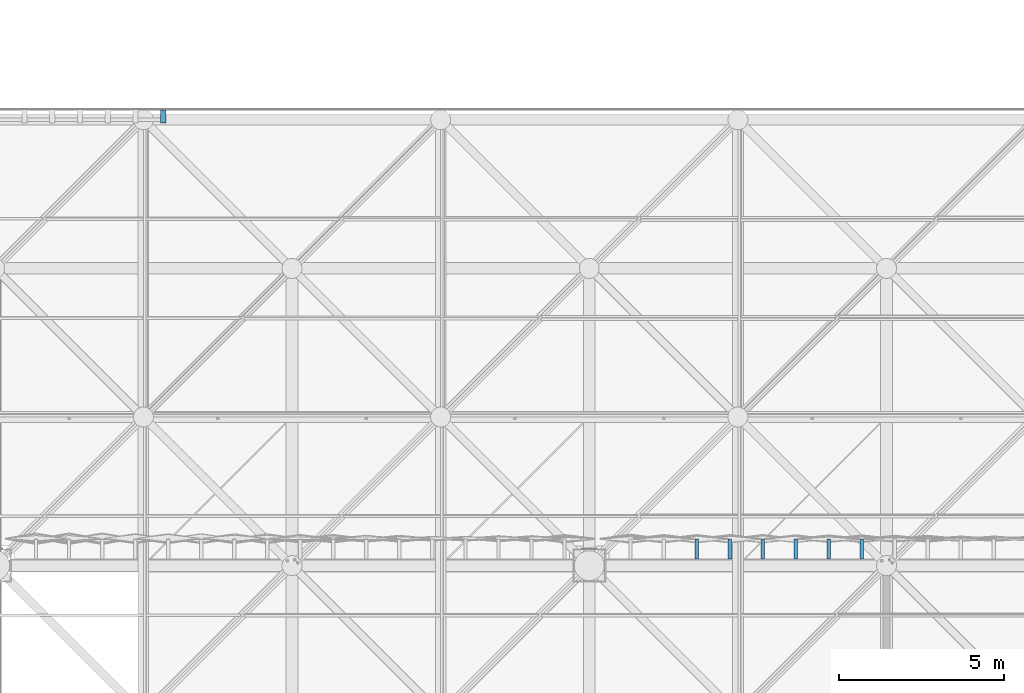
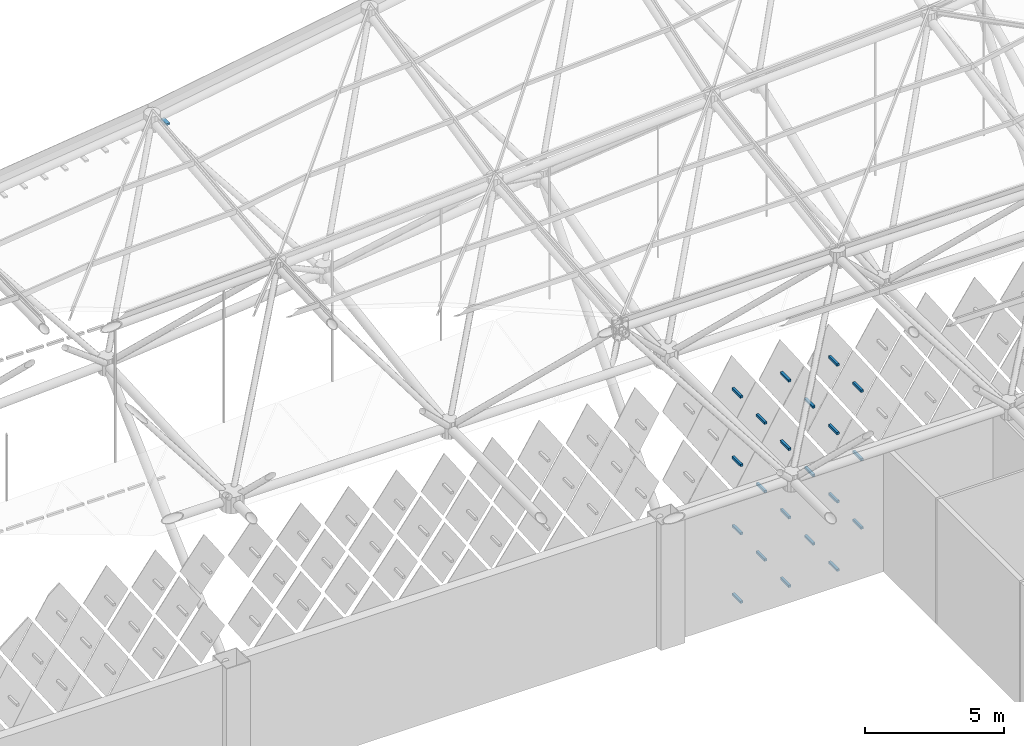
# One storey, part 398 of 437: 22 discrete accessories.
"""IFC4 building model written with IfcOpenShell, lengths in metres."""

from ifc_helpers import new_model, si_unit, direction, frame, origin, origin_2d, place, context, subcontext, project, spatial, polyline, rectangle, outline, extrude, material, type_object, element, save


model = new_model("IFC4")

# Units and contexts
model_context = context("Model", 3, precision=1e-05, world=origin(), true_north=direction((0.0, 1.0)))
body_context = subcontext(model_context, "Body", "Model", "MODEL_VIEW")
ifc_project = project(units=[si_unit("LENGTHUNIT", "METRE"), si_unit("AREAUNIT", "SQUARE_METRE"), si_unit("VOLUMEUNIT", "CUBIC_METRE"), si_unit("PLANEANGLEUNIT", "RADIAN"), si_unit("MASSUNIT", "GRAM", prefix="KILO")], contexts=[model_context])

# Site, building, storey
site_placement = place(None, origin())
site = spatial("IfcSite", under=ifc_project, at=site_placement, CompositionType="ELEMENT")
building_placement = place(site_placement, origin())
building = spatial("IfcBuilding", under=site, at=building_placement, Name="Opaline Strait Convention Centre", CompositionType="ELEMENT")
storey_placement = place(building_placement, frame((0.0, 0.0, 11.5)))
storey = spatial("IfcBuildingStorey", under=building, at=storey_placement, Name="L02", CompositionType="ELEMENT", Elevation=11.5)

# Discrete accessories
ifc_material = material(Name="Steel Q355B", Category="steel")
discrete_accessory_type_1 = type_object("IfcDiscreteAccessoryType", Name="Blade head bracket 160x400x80", PredefinedType="BRACKET", material=ifc_material)
discrete_accessory_1_placement = place(storey_placement, frame((230.10009765625, 166.60009765625, 18.941650390625), z_axis=(0.0, 0.0, 1.0), x_axis=(1.0, 0.0, 0.0)))
element("IfcDiscreteAccessory", 1, at=discrete_accessory_1_placement, inside=storey, type_object=discrete_accessory_type_1, Name="Blade head bracket E26", PredefinedType="BRACKET", context=body_context, shape_type="SweptSolid", body=[
    extrude(rectangle(XDim=0.159912109375, YDim=0.39990234375, at=origin_2d()), origin(), (0.0, 0.0, 1.0), 0.080078125),
])
discrete_accessory_type_2 = type_object("IfcDiscreteAccessoryType", Name="Tile bracket 100x100 steel", PredefinedType="BRACKET", material=ifc_material)
discrete_accessory_2_placement = place(storey_placement, frame((250.300048828125, 153.199951171875, 0.39208984375), z_axis=(-1.0, 0.0, 0.0), x_axis=(0.0, -1.0, 0.0)))
element("IfcDiscreteAccessory", 2, at=discrete_accessory_2_placement, inside=storey, type_object=discrete_accessory_type_2, Name="Tile bracket XT08 N", PredefinedType="BRACKET", context=body_context, shape_type="SweptSolid", body=[
    extrude(outline(polyline([(0.0, -0.050048828125), (0.0, 0.050048828125), (-0.603515625, 0.050048828125), (-0.596435546875, -0.050048828125), (0.0, -0.050048828125)])), origin(), (0.0, 0.0, 1.0), 0.10009765625),
])
discrete_accessory_3_placement = place(storey_placement, frame((248.300048828125, 153.199951171875, 0.39208984375), z_axis=(-1.0, 0.0, 0.0), x_axis=(0.0, -1.0, 0.0)))
element("IfcDiscreteAccessory", 3, at=discrete_accessory_3_placement, inside=storey, type_object=discrete_accessory_type_2, Name="Tile bracket XT07 N", PredefinedType="BRACKET", context=body_context, shape_type="SweptSolid", body=[
    extrude(outline(polyline([(0.0, -0.050048828125), (0.0, 0.050048828125), (-0.60302734375, 0.050048828125), (-0.596923828125, -0.050048828125), (0.0, -0.050048828125)])), origin(), (0.0, 0.0, 1.0), 0.10009765625),
])
discrete_accessory_4_placement = place(storey_placement, frame((246.300048828125, 153.199951171875, 0.39208984375), z_axis=(-1.0, 0.0, 0.0), x_axis=(0.0, -1.0, 0.0)))
element("IfcDiscreteAccessory", 4, at=discrete_accessory_4_placement, inside=storey, type_object=discrete_accessory_type_2, Name="Tile bracket XT05 N", PredefinedType="BRACKET", context=body_context, shape_type="SweptSolid", body=[
    extrude(outline(polyline([(0.0, -0.050048828125), (0.0, 0.050048828125), (-0.602294921875, 0.050048828125), (-0.597900390625, -0.050048828125), (0.0, -0.050048828125)])), origin(), (0.0, 0.0, 1.0), 0.10009765625),
])
for number, where, z_axis, x_axis, name in (
    (5, (251.300048828125, 153.199951171875, 1.89208984375), (-1.0, 0.0, 0.0), (0.0, -1.0, 0.0), "Tile bracket XT08 N"),
    (6, (249.300048828125, 153.199951171875, 1.89208984375), (-1.0, 0.0, 0.0), (0.0, -1.0, 0.0), "Tile bracket XT08 N"),
):
    element("IfcDiscreteAccessory", number, at=place(storey_placement, frame(where, z_axis=z_axis, x_axis=x_axis)), inside=storey, type_object=discrete_accessory_type_2, Name=name, PredefinedType="BRACKET", context=body_context, shape_type="SweptSolid", body=[
        extrude(outline(polyline([(0.0, -0.050048828125), (0.0, 0.050048828125), (-0.603515625, 0.050048828125), (-0.596435546875, -0.050048828125), (0.0, -0.050048828125)])), origin(), (0.0, 0.0, 1.0), 0.10009765625),
    ])
discrete_accessory_5_placement = place(storey_placement, frame((247.300048828125, 153.199951171875, 1.89208984375), z_axis=(-1.0, 0.0, 0.0), x_axis=(0.0, -1.0, 0.0)))
element("IfcDiscreteAccessory", 7, at=discrete_accessory_5_placement, inside=storey, type_object=discrete_accessory_type_2, Name="Tile bracket XT07 N", PredefinedType="BRACKET", context=body_context, shape_type="SweptSolid", body=[
    extrude(outline(polyline([(0.0, -0.050048828125), (0.0, 0.050048828125), (-0.60302734375, 0.050048828125), (-0.596923828125, -0.050048828125), (0.0, -0.050048828125)])), origin(), (0.0, 0.0, 1.0), 0.10009765625),
])
discrete_accessory_6_placement = place(storey_placement, frame((250.300048828125, 153.199951171875, 3.39208984375), z_axis=(-1.0, 0.0, 0.0), x_axis=(0.0, -1.0, 0.0)))
element("IfcDiscreteAccessory", 8, at=discrete_accessory_6_placement, inside=storey, type_object=discrete_accessory_type_2, Name="Tile bracket XT08 N", PredefinedType="BRACKET", context=body_context, shape_type="SweptSolid", body=[
    extrude(outline(polyline([(0.0, -0.050048828125), (0.0, 0.050048828125), (-0.603515625, 0.050048828125), (-0.596435546875, -0.050048828125), (0.0, -0.050048828125)])), origin(), (0.0, 0.0, 1.0), 0.10009765625),
])
discrete_accessory_7_placement = place(storey_placement, frame((248.300048828125, 153.199951171875, 3.39208984375), z_axis=(-1.0, 0.0, 0.0), x_axis=(0.0, -1.0, 0.0)))
element("IfcDiscreteAccessory", 9, at=discrete_accessory_7_placement, inside=storey, type_object=discrete_accessory_type_2, Name="Tile bracket XT09 N", PredefinedType="BRACKET", context=body_context, shape_type="SweptSolid", body=[
    extrude(outline(polyline([(0.0, -0.050048828125), (0.0, 0.050048828125), (-0.60400390625, 0.050048828125), (-0.595947265625, -0.050048828125), (0.0, -0.050048828125)])), origin(), (0.0, 0.0, 1.0), 0.10009765625),
])
for number, where, z_axis, x_axis, name in (
    (10, (246.300048828125, 153.199951171875, 3.39208984375), (-1.0, 0.0, 0.0), (0.0, -1.0, 0.0), "Tile bracket XT07 N"),
    (11, (251.300048828125, 153.199951171875, 4.89208984375), (-1.0, 0.0, 0.0), (0.0, -1.0, 0.0), "Tile bracket XT07 N"),
):
    element("IfcDiscreteAccessory", number, at=place(storey_placement, frame(where, z_axis=z_axis, x_axis=x_axis)), inside=storey, type_object=discrete_accessory_type_2, Name=name, PredefinedType="BRACKET", context=body_context, shape_type="SweptSolid", body=[
        extrude(outline(polyline([(0.0, -0.050048828125), (0.0, 0.050048828125), (-0.60302734375, 0.050048828125), (-0.596923828125, -0.050048828125), (0.0, -0.050048828125)])), origin(), (0.0, 0.0, 1.0), 0.10009765625),
    ])
discrete_accessory_8_placement = place(storey_placement, frame((249.300048828125, 153.199951171875, 4.89208984375), z_axis=(-1.0, 0.0, 0.0), x_axis=(0.0, -1.0, 0.0)))
element("IfcDiscreteAccessory", 12, at=discrete_accessory_8_placement, inside=storey, type_object=discrete_accessory_type_2, Name="Tile bracket XT08 N", PredefinedType="BRACKET", context=body_context, shape_type="SweptSolid", body=[
    extrude(outline(polyline([(0.0, -0.050048828125), (0.0, 0.050048828125), (-0.603515625, 0.050048828125), (-0.596435546875, -0.050048828125), (0.0, -0.050048828125)])), origin(), (0.0, 0.0, 1.0), 0.10009765625),
])
discrete_accessory_9_placement = place(storey_placement, frame((247.300048828125, 153.199951171875, 4.89208984375), z_axis=(-1.0, 0.0, 0.0), x_axis=(0.0, -1.0, 0.0)))
element("IfcDiscreteAccessory", 13, at=discrete_accessory_9_placement, inside=storey, type_object=discrete_accessory_type_2, Name="Tile bracket XT09 N", PredefinedType="BRACKET", context=body_context, shape_type="SweptSolid", body=[
    extrude(outline(polyline([(0.0, -0.050048828125), (0.0, 0.050048828125), (-0.60400390625, 0.050048828125), (-0.595947265625, -0.050048828125), (0.0, -0.050048828125)])), origin(), (0.0, 0.0, 1.0), 0.10009765625),
])
discrete_accessory_10_placement = place(storey_placement, frame((250.300048828125, 153.199951171875, 6.39208984375), z_axis=(-1.0, 0.0, 0.0), x_axis=(0.0, -1.0, 0.0)))
element("IfcDiscreteAccessory", 14, at=discrete_accessory_10_placement, inside=storey, type_object=discrete_accessory_type_2, Name="Tile bracket XT07 N", PredefinedType="BRACKET", context=body_context, shape_type="SweptSolid", body=[
    extrude(outline(polyline([(0.0, -0.050048828125), (0.0, 0.050048828125), (-0.60302734375, 0.050048828125), (-0.596923828125, -0.050048828125), (0.0, -0.050048828125)])), origin(), (0.0, 0.0, 1.0), 0.10009765625),
])
for number, where, z_axis, x_axis, name in (
    (15, (248.300048828125, 153.199951171875, 6.39208984375), (-1.0, 0.0, 0.0), (0.0, -1.0, 0.0), "Tile bracket XT09 N"),
    (16, (246.300048828125, 153.199951171875, 6.39208984375), (-1.0, 0.0, 0.0), (0.0, -1.0, 0.0), "Tile bracket XT09 N"),
):
    element("IfcDiscreteAccessory", number, at=place(storey_placement, frame(where, z_axis=z_axis, x_axis=x_axis)), inside=storey, type_object=discrete_accessory_type_2, Name=name, PredefinedType="BRACKET", context=body_context, shape_type="SweptSolid", body=[
        extrude(outline(polyline([(0.0, -0.050048828125), (0.0, 0.050048828125), (-0.60400390625, 0.050048828125), (-0.595947265625, -0.050048828125), (0.0, -0.050048828125)])), origin(), (0.0, 0.0, 1.0), 0.10009765625),
    ])
discrete_accessory_11_placement = place(storey_placement, frame((251.300048828125, 153.199951171875, 7.89208984375), z_axis=(-1.0, 0.0, 0.0), x_axis=(0.0, -1.0, 0.0)))
element("IfcDiscreteAccessory", 17, at=discrete_accessory_11_placement, inside=storey, type_object=discrete_accessory_type_2, Name="Tile bracket XT05 N", PredefinedType="BRACKET", context=body_context, shape_type="SweptSolid", body=[
    extrude(outline(polyline([(0.0, -0.050048828125), (0.0, 0.050048828125), (-0.602294921875, 0.050048828125), (-0.597900390625, -0.050048828125), (0.0, -0.050048828125)])), origin(), (0.0, 0.0, 1.0), 0.10009765625),
])
discrete_accessory_12_placement = place(storey_placement, frame((249.300048828125, 153.199951171875, 7.89208984375), z_axis=(-1.0, 0.0, 0.0), x_axis=(0.0, -1.0, 0.0)))
element("IfcDiscreteAccessory", 18, at=discrete_accessory_12_placement, inside=storey, type_object=discrete_accessory_type_2, Name="Tile bracket XT07 N", PredefinedType="BRACKET", context=body_context, shape_type="SweptSolid", body=[
    extrude(outline(polyline([(0.0, -0.050048828125), (0.0, 0.050048828125), (-0.60302734375, 0.050048828125), (-0.596923828125, -0.050048828125), (0.0, -0.050048828125)])), origin(), (0.0, 0.0, 1.0), 0.10009765625),
])
discrete_accessory_13_placement = place(storey_placement, frame((247.300048828125, 153.199951171875, 7.89208984375), z_axis=(-1.0, 0.0, 0.0), x_axis=(0.0, -1.0, 0.0)))
element("IfcDiscreteAccessory", 19, at=discrete_accessory_13_placement, inside=storey, type_object=discrete_accessory_type_2, Name="Tile bracket XT09 N", PredefinedType="BRACKET", context=body_context, shape_type="SweptSolid", body=[
    extrude(outline(polyline([(0.0, -0.050048828125), (0.0, 0.050048828125), (-0.60400390625, 0.050048828125), (-0.595947265625, -0.050048828125), (0.0, -0.050048828125)])), origin(), (0.0, 0.0, 1.0), 0.10009765625),
])
discrete_accessory_14_placement = place(storey_placement, frame((250.300048828125, 153.199951171875, 9.39208984375), z_axis=(-1.0, 0.0, 0.0), x_axis=(0.0, -1.0, 0.0)))
element("IfcDiscreteAccessory", 20, at=discrete_accessory_14_placement, inside=storey, type_object=discrete_accessory_type_2, Name="Tile bracket XT05 N", PredefinedType="BRACKET", context=body_context, shape_type="SweptSolid", body=[
    extrude(outline(polyline([(0.0, -0.050048828125), (0.0, 0.050048828125), (-0.602294921875, 0.050048828125), (-0.597900390625, -0.050048828125), (0.0, -0.050048828125)])), origin(), (0.0, 0.0, 1.0), 0.10009765625),
])
discrete_accessory_15_placement = place(storey_placement, frame((248.300048828125, 153.199951171875, 9.39208984375), z_axis=(-1.0, 0.0, 0.0), x_axis=(0.0, -1.0, 0.0)))
element("IfcDiscreteAccessory", 21, at=discrete_accessory_15_placement, inside=storey, type_object=discrete_accessory_type_2, Name="Tile bracket XT08 N", PredefinedType="BRACKET", context=body_context, shape_type="SweptSolid", body=[
    extrude(outline(polyline([(0.0, -0.050048828125), (0.0, 0.050048828125), (-0.603515625, 0.050048828125), (-0.596435546875, -0.050048828125), (0.0, -0.050048828125)])), origin(), (0.0, 0.0, 1.0), 0.10009765625),
])
discrete_accessory_16_placement = place(storey_placement, frame((246.300048828125, 153.199951171875, 9.39208984375), z_axis=(-1.0, 0.0, 0.0), x_axis=(0.0, -1.0, 0.0)))
element("IfcDiscreteAccessory", 22, at=discrete_accessory_16_placement, inside=storey, type_object=discrete_accessory_type_2, Name="Tile bracket XT09 N", PredefinedType="BRACKET", context=body_context, shape_type="SweptSolid", body=[
    extrude(outline(polyline([(0.0, -0.050048828125), (0.0, 0.050048828125), (-0.60400390625, 0.050048828125), (-0.595947265625, -0.050048828125), (0.0, -0.050048828125)])), origin(), (0.0, 0.0, 1.0), 0.10009765625),
])

save(model, "model.ifc")
